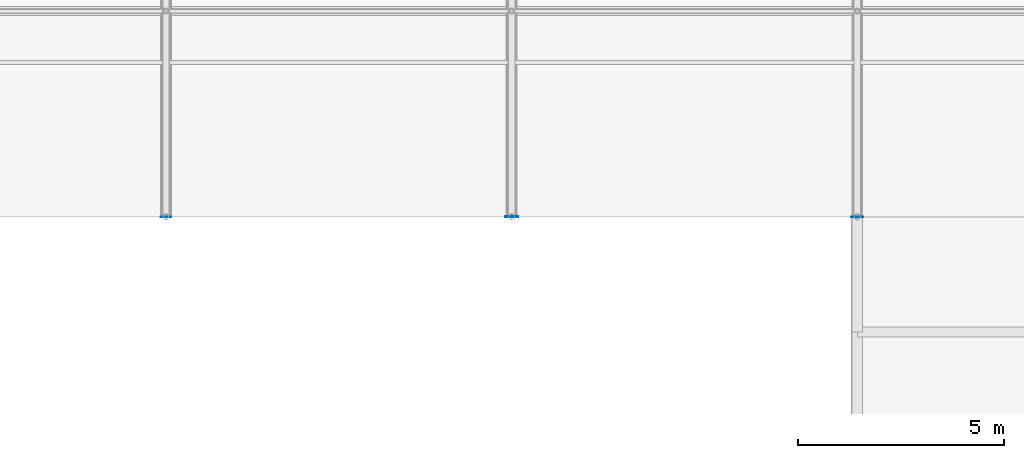
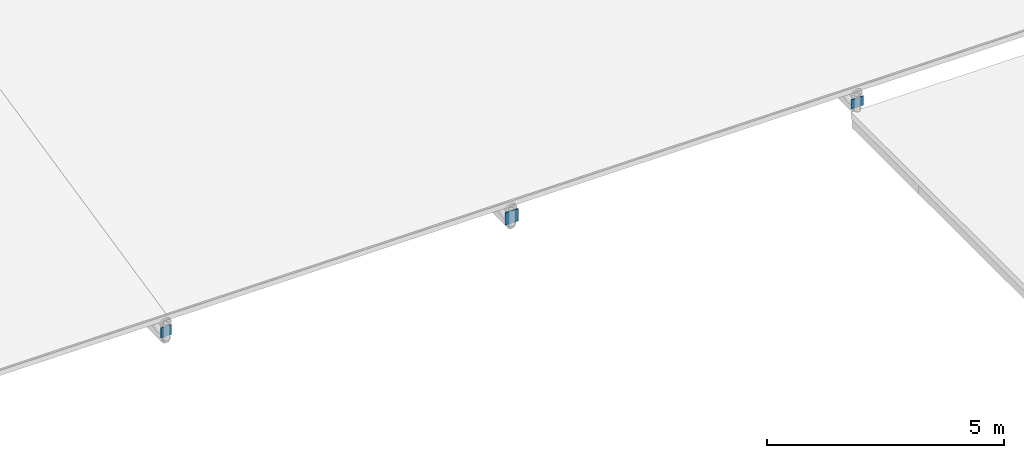
# One storey, part 167 of 194: 3 plates.
"""IFC4 building model written with IfcOpenShell, lengths in metres."""

from ifc_helpers import new_model, si_unit, direction, frame, origin, origin_2d, place, context, subcontext, project, spatial, rectangle, extrude, material, layer, layer_set, type_object, element, save


model = new_model("IFC4")

# Units and contexts
model_context = context("Model", 3, precision=1e-05, world=origin(), true_north=direction((0.0, 1.0)))
body_context = subcontext(model_context, "Body", "Model", "MODEL_VIEW")
ifc_project = project(units=[si_unit("LENGTHUNIT", "METRE"), si_unit("AREAUNIT", "SQUARE_METRE"), si_unit("VOLUMEUNIT", "CUBIC_METRE"), si_unit("PLANEANGLEUNIT", "RADIAN"), si_unit("MASSUNIT", "GRAM", prefix="KILO")], contexts=[model_context])

# Site, building, storey
site_placement = place(None, origin())
site = spatial("IfcSite", under=ifc_project, at=site_placement, CompositionType="ELEMENT")
building_placement = place(site_placement, origin())
building = spatial("IfcBuilding", under=site, at=building_placement, Name="Kazenagashi Tramway Depot", CompositionType="ELEMENT")
storey_placement = place(building_placement, frame((0.0, 0.0, 23.7)))
storey = spatial("IfcBuildingStorey", under=building, at=storey_placement, Name="ROOF", CompositionType="ELEMENT", Elevation=23.7)

# Plates
ifc_material_1 = material(Name="Weathering Steel SMA490W", Category="steel")
ifc_layer_1 = layer(ifc_material_1, 0.012)
ifc_layer_set_1 = layer_set([ifc_layer_1], Name="Weathering Steel SMA490W")
plate_type_1 = type_object("IfcPlateType", Name="EC-04", PredefinedType="USERDEFINED", material=ifc_layer_set_1)
plate_1_placement = place(storey_placement, frame((70.0, 70.0, -14.03), z_axis=(0.0, 0.0, 1.0), x_axis=(1.0, 0.0, 0.0)))
element("IfcPlate", 1, at=plate_1_placement, inside=storey, type_object=plate_type_1, Name="Structural Node Plate EC-04 PLT-0015", ObjectType="END CAP PLATE", PredefinedType="USERDEFINED", context=body_context, shape_type="SweptSolid", body=[
    extrude(rectangle(XDim=0.26, YDim=0.012, at=origin_2d()), origin(), (0.0, 0.0, 1.0), 0.26),
])
ifc_material_2 = material(Name="Steel STK490", Category="steel")
ifc_layer_2 = layer(ifc_material_2, 0.016)
ifc_layer_set_2 = layer_set([ifc_layer_2], Name="Steel STK490")
plate_type_2 = type_object("IfcPlateType", Name="EC-05", PredefinedType="USERDEFINED", material=ifc_layer_set_2)
plate_2_placement = place(storey_placement, frame((78.4, 70.0, -14.06), z_axis=(0.0, 0.0, 1.0), x_axis=(1.0, 0.0, 0.0)))
element("IfcPlate", 2, at=plate_2_placement, inside=storey, type_object=plate_type_2, Name="Structural Node Plate EC-05 PLT-0019", ObjectType="END CAP PLATE", PredefinedType="USERDEFINED", context=body_context, shape_type="SweptSolid", body=[
    extrude(rectangle(XDim=0.32, YDim=0.016, at=origin_2d()), origin(), (0.0, 0.0, 1.0), 0.32),
])
ifc_layer_3 = layer(ifc_material_2, 0.014)
ifc_layer_set_3 = layer_set([ifc_layer_3], Name="Steel STK490")
plate_type_3 = type_object("IfcPlateType", Name="EC-06", PredefinedType="USERDEFINED", material=ifc_layer_set_3)
plate_3_placement = place(storey_placement, frame((86.8, 70.0, -14.02), z_axis=(0.0, 0.0, 1.0), x_axis=(1.0, 0.0, 0.0)))
element("IfcPlate", 3, at=plate_3_placement, inside=storey, type_object=plate_type_3, Name="Structural Node Plate EC-06 PLT-0023", ObjectType="END CAP PLATE", PredefinedType="USERDEFINED", context=body_context, shape_type="SweptSolid", body=[
    extrude(rectangle(XDim=0.3, YDim=0.014, at=origin_2d()), origin(), (0.0, 0.0, 1.0), 0.24),
])

save(model, "model.ifc")
